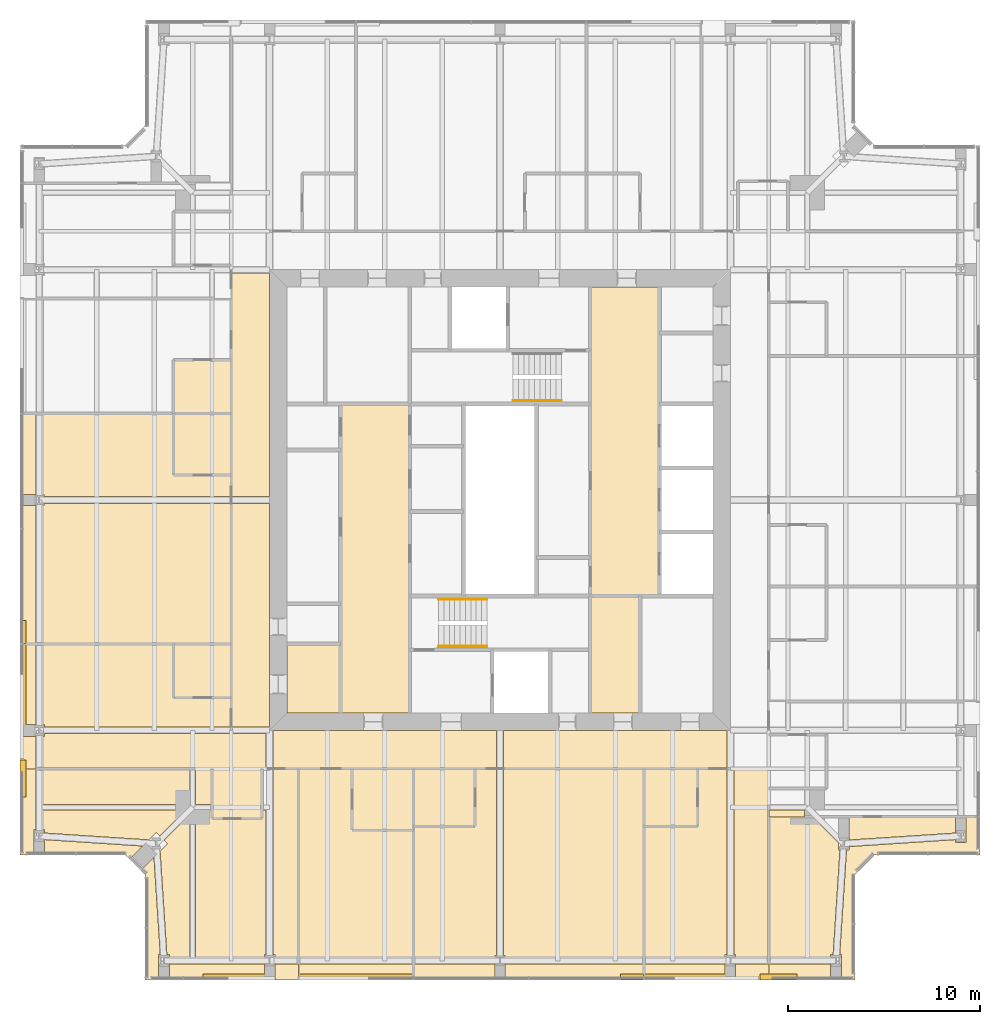
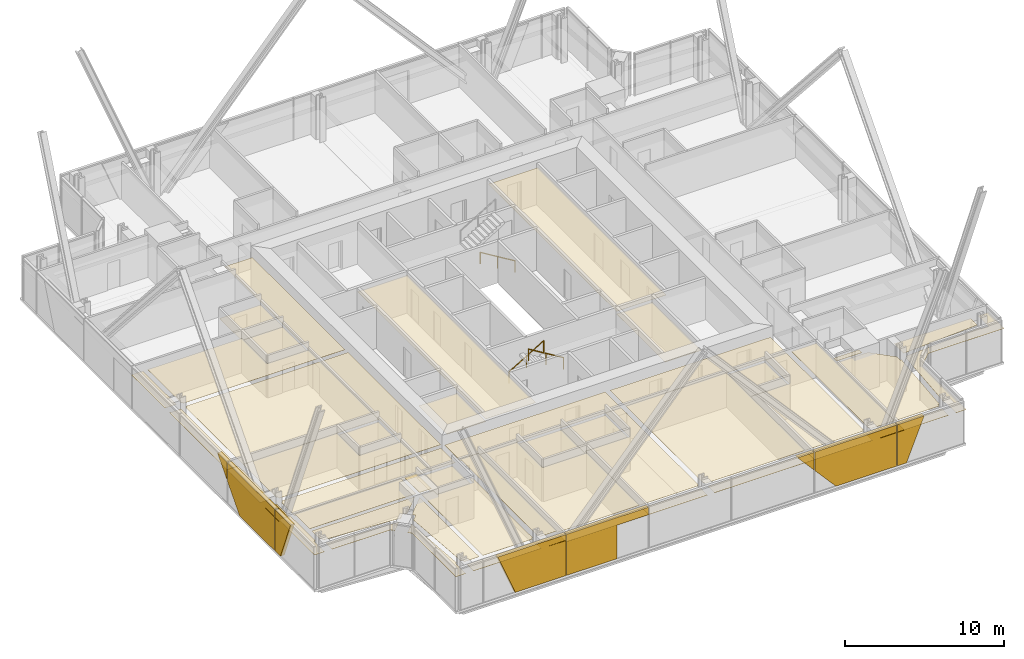
# One storey, part 16 of 18: 58 coverings, 3 railings.
"""IFC4 building model written with IfcOpenShell, lengths in metres."""

from ifc_helpers import new_model, si_unit, direction, frame, origin, origin_2d, place, context, subcontext, project, spatial, polyline, circle, outline, extrude, material, layer, layer_set, type_object, element, save


model = new_model("IFC4")

# Units and contexts
model_context = context("Model", 3, precision=1e-05, world=origin(), true_north=direction((0.0, 1.0)))
body_context = subcontext(model_context, "Body", "Model", "MODEL_VIEW")
ifc_project = project(units=[si_unit("LENGTHUNIT", "METRE"), si_unit("AREAUNIT", "SQUARE_METRE"), si_unit("VOLUMEUNIT", "CUBIC_METRE"), si_unit("PLANEANGLEUNIT", "RADIAN"), si_unit("MASSUNIT", "GRAM", prefix="KILO")], contexts=[model_context])

# Site, building, storey
site_placement = place(None, origin())
site = spatial("IfcSite", under=ifc_project, at=site_placement, CompositionType="ELEMENT")
building_placement = place(site_placement, origin())
building = spatial("IfcBuilding", under=site, at=building_placement, Name="Fenwick Lantern Interchange", CompositionType="ELEMENT")
storey_placement = place(building_placement, frame((0.0, 0.0, 269.60009765625)))
storey = spatial("IfcBuildingStorey", under=building, at=storey_placement, Name="L64", CompositionType="ELEMENT", Elevation=269.60009765625)

# Coverings
ifc_material_1 = material(Name="Granite cladding, warm grey flamed finish, on aluminium carrier frame", Category="masonry")
ifc_layer_1 = layer(ifc_material_1, 0.300048828125)
ifc_layer_set_1 = layer_set([ifc_layer_1], Name="BRACE CASING PANEL 300")
covering_type_1 = type_object("IfcCoveringType", Name="BRACE CASING PANEL 300", PredefinedType="CLADDING", material=ifc_layer_set_1)
covering_1_placement = place(storey_placement, frame((6.60009765625, 0.10009765625, 0.0), z_axis=(0.0, 0.0, 1.0), x_axis=(1.0, 0.0, 0.0)))
element("IfcCovering", 1, at=covering_1_placement, inside=storey, type_object=covering_type_1, Name="Brace casing 01 bay 01a", PredefinedType="CLADDING", context=body_context, shape_type="SweptSolid", body=[
    extrude(outline(polyline([(4.21337890625, 0.0), (7.8701171875, 0.0), (7.8701171875, 3.14990234375), (2.939453125, 3.14990234375), (4.21337890625, 0.0)])), frame((0.0, 0.2099609375, 0.0), z_axis=(0.0, -1.0, 0.0), x_axis=(1.0, 0.0, 0.0)), (0.0, 0.0, 1.0), 0.300048828125),
])
covering_2_placement = place(storey_placement, frame((6.60009765625, 0.10009765625, 0.0), z_axis=(0.0, 0.0, 1.0), x_axis=(1.0, 0.0, 0.0)))
element("IfcCovering", 2, at=covering_2_placement, inside=storey, type_object=covering_type_1, Name="Brace casing 01 bay 02a", PredefinedType="CLADDING", context=body_context, shape_type="SweptSolid", body=[
    extrude(outline(polyline([(7.929931640625, 0.0), (11.60009765625, 0.0), (11.60009765625, 2.56689453125), (13.8701171875, 2.56689453125), (13.8701171875, 3.14990234375), (7.929931640625, 3.14990234375), (7.929931640625, 0.0)])), frame((0.0, 0.2099609375, 0.0), z_axis=(0.0, -1.0, 0.0), x_axis=(1.0, 0.0, 0.0)), (0.0, 0.0, 1.0), 0.300048828125),
])
covering_3_placement = place(storey_placement, frame((6.60009765625, 0.10009765625, 1.807373046875), z_axis=(0.0, 0.0, 1.0), x_axis=(1.0, 0.0, 0.0)))
element("IfcCovering", 3, at=covering_3_placement, inside=storey, type_object=covering_type_1, Name="Brace casing 01 bay 04a", PredefinedType="CLADDING", context=body_context, shape_type="SweptSolid", body=[
    extrude(outline(polyline([(25.8701171875, 0.0), (25.8701171875, 1.342529296875), (24.685302734375, 1.342529296875), (25.8701171875, 0.0)])), frame((0.0, 0.2099609375, 0.0), z_axis=(0.0, -1.0, 0.0), x_axis=(1.0, 0.0, 0.0)), (0.0, 0.0, 1.0), 0.300048828125),
])
covering_4_placement = place(storey_placement, frame((6.60009765625, 0.10009765625, 0.0), z_axis=(0.0, 0.0, 1.0), x_axis=(1.0, 0.0, 0.0)))
element("IfcCovering", 4, at=covering_4_placement, inside=storey, type_object=covering_type_1, Name="Brace casing 01 bay 05a", PredefinedType="CLADDING", context=body_context, shape_type="SweptSolid", body=[
    extrude(outline(polyline([(27.46484375, 0.0), (31.8701171875, 0.0), (31.8701171875, 3.14990234375), (25.929931640625, 3.14990234375), (25.929931640625, 1.7392578125), (27.46484375, 0.0)])), frame((0.0, 0.2099609375, 0.0), z_axis=(0.0, -1.0, 0.0), x_axis=(1.0, 0.0, 0.0)), (0.0, 0.0, 1.0), 0.300048828125),
])
covering_5_placement = place(storey_placement, frame((6.60009765625, 0.10009765625, 0.0), z_axis=(0.0, 0.0, 1.0), x_axis=(1.0, 0.0, 0.0)))
element("IfcCovering", 5, at=covering_5_placement, inside=storey, type_object=covering_type_1, Name="Brace casing 01 bay 06a", PredefinedType="CLADDING", context=body_context, shape_type="SweptSolid", body=[
    extrude(outline(polyline([(31.929931640625, 0.0), (32.586669921875, 0.0), (33.860595703125, 3.14990234375), (31.929931640625, 3.14990234375), (31.929931640625, 0.0)])), frame((0.0, 0.2099609375, 0.0), z_axis=(0.0, -1.0, 0.0), x_axis=(1.0, 0.0, 0.0)), (0.0, 0.0, 1.0), 0.300048828125),
])
covering_6_placement = place(storey_placement, frame((0.10009765625, 43.39990234375, 1.807373046875), z_axis=(0.0, 0.0, 1.0), x_axis=(0.0, -1.0, 0.0)))
element("IfcCovering", 6, at=covering_6_placement, inside=storey, type_object=covering_type_1, Name="Brace casing 13 bay 04a", PredefinedType="CLADDING", context=body_context, shape_type="SweptSolid", body=[
    extrude(outline(polyline([(25.8701171875, 0.0), (25.8701171875, 1.342529296875), (24.685302734375, 1.342529296875), (25.8701171875, 0.0)])), frame((0.0, 0.2099609375, 0.0), z_axis=(0.0, -1.0, 0.0), x_axis=(1.0, 0.0, 0.0)), (0.0, 0.0, 1.0), 0.300048828125),
])
covering_7_placement = place(storey_placement, frame((0.10009765625, 43.39990234375, 0.0), z_axis=(0.0, 0.0, 1.0), x_axis=(0.0, -1.0, 0.0)))
element("IfcCovering", 7, at=covering_7_placement, inside=storey, type_object=covering_type_1, Name="Brace casing 13 bay 05a", PredefinedType="CLADDING", context=body_context, shape_type="SweptSolid", body=[
    extrude(outline(polyline([(27.46484375, 0.0), (31.8701171875, 0.0), (31.8701171875, 3.14990234375), (25.929931640625, 3.14990234375), (25.929931640625, 1.7392578125), (27.46484375, 0.0)])), frame((0.0, 0.2099609375, 0.0), z_axis=(0.0, -1.0, 0.0), x_axis=(1.0, 0.0, 0.0)), (0.0, 0.0, 1.0), 0.300048828125),
])
covering_8_placement = place(storey_placement, frame((0.10009765625, 43.39990234375, 0.0), z_axis=(0.0, 0.0, 1.0), x_axis=(0.0, -1.0, 0.0)))
element("IfcCovering", 8, at=covering_8_placement, inside=storey, type_object=covering_type_1, Name="Brace casing 13 bay 06a", PredefinedType="CLADDING", context=body_context, shape_type="SweptSolid", body=[
    extrude(outline(polyline([(31.929931640625, 0.0), (32.586669921875, 0.0), (33.860595703125, 3.14990234375), (31.929931640625, 3.14990234375), (31.929931640625, 0.0)])), frame((0.0, 0.2099609375, 0.0), z_axis=(0.0, -1.0, 0.0), x_axis=(1.0, 0.0, 0.0)), (0.0, 0.0, 1.0), 0.300048828125),
])

# Railings
ifc_material_2 = material(Name="Stainless steel handrail", Category="steel")
railing_type = type_object("IfcRailingType", Name="HANDRAIL 900", PredefinedType="HANDRAIL", material=ifc_material_2)
railing_placement = place(storey_placement, frame((21.800048828125, 19.825927734375, 0.169921875)))
element("IfcRailing", 9, at=railing_placement, inside=storey, type_object=railing_type, Name="L64/STAIR/ST1/HR1", PredefinedType="HANDRAIL", context=body_context, shape_type="SweptSolid", body=[
    extrude(circle(Radius=0.02392578125, at=origin_2d()), frame((0.0, 0.0, 0.8759765625), z_axis=(0.85478489116, 0.0, 0.518982456201), x_axis=(0.0, 1.0, 0.0)), (0.0, 0.0, 1.0), 2.9482421875),
    extrude(circle(Radius=0.02099609375, at=origin_2d()), origin(), (0.0, 0.0, 1.0), 0.851806640625),
    extrude(circle(Radius=0.02099609375, at=origin_2d()), frame((1.260009765625, 0.0, 0.76513671875)), (0.0, 0.0, 1.0), 0.851806640625),
    extrude(circle(Radius=0.02099609375, at=origin_2d()), frame((2.52001953125, 0.0, 1.530029296875)), (0.0, 0.0, 1.0), 0.851806640625),
])
for number, where, name in (
    (10, (24.320068359375, 17.3740234375, 1.869873046875), "L64/STAIR/ST1/HR2"),
    (11, (28.199951171875, 30.174072265625, 0.169921875), "L64/STAIR/ST2/HR1"),
):
    element("IfcRailing", number, at=place(storey_placement, frame(where)), inside=storey, type_object=railing_type, Name=name, PredefinedType="HANDRAIL", context=body_context, shape_type="SweptSolid", body=[
        extrude(circle(Radius=0.02392578125, at=origin_2d()), frame((0.0, 0.0, 0.8759765625), z_axis=(-0.85478489116, 0.0, 0.518982456201), x_axis=(0.0, -1.0, 0.0)), (0.0, 0.0, 1.0), 2.9482421875),
        extrude(circle(Radius=0.02099609375, at=origin_2d()), origin(), (0.0, 0.0, 1.0), 0.851806640625),
        extrude(circle(Radius=0.02099609375, at=origin_2d()), frame((-1.260009765625, 0.0, 0.76513671875)), (0.0, 0.0, 1.0), 0.851806640625),
        extrude(circle(Radius=0.02099609375, at=origin_2d()), frame((-2.52001953125, 0.0, 1.530029296875)), (0.0, 0.0, 1.0), 0.851806640625),
    ])

# Coverings
ifc_material_3 = material(Name="Moisture resistant gypsum board on suspended frame, painted")
ifc_layer_2 = layer(ifc_material_3, 0.014892578125)
ifc_layer_set_2 = layer_set([ifc_layer_2], Name="MOISTURE RESISTANT CEILING 15")
covering_type_2 = type_object("IfcCoveringType", Name="MOISTURE RESISTANT CEILING 15", PredefinedType="CEILING", material=ifc_layer_set_2)
covering_9_placement = place(storey_placement, frame((0.0, 0.0, 2.599853515625)))
element("IfcCovering", 12, at=covering_9_placement, inside=storey, type_object=covering_type_2, Name="Men's WC ceiling", PredefinedType="CEILING", context=body_context, shape_type="SweptSolid", body=[
    extrude(outline(polyline([(29.699951171875, 13.89990234375), (32.300048828125, 13.89990234375), (32.300048828125, 20.0), (29.699951171875, 20.0), (29.699951171875, 13.89990234375)])), origin(), (0.0, 0.0, 1.0), 0.01513671875),
])
covering_10_placement = place(storey_placement, frame((0.0, 0.0, 2.599853515625)))
element("IfcCovering", 13, at=covering_10_placement, inside=storey, type_object=covering_type_2, Name="Accessible WC and shower ceiling", PredefinedType="CEILING", context=body_context, shape_type="SweptSolid", body=[
    extrude(outline(polyline([(13.89990234375, 13.89990234375), (16.699951171875, 13.89990234375), (16.699951171875, 17.5), (13.89990234375, 17.5), (13.89990234375, 13.89990234375)])), origin(), (0.0, 0.0, 1.0), 0.01513671875),
])
covering_11_placement = place(storey_placement, frame((0.0, 0.0, 2.39990234375)))
element("IfcCovering", 14, at=covering_11_placement, inside=storey, type_object=covering_type_2, Name="En-suite 6401 ceiling", PredefinedType="CEILING", context=body_context, shape_type="SweptSolid", body=[
    extrude(outline(polyline([(10.0, 8.39990234375), (12.60009765625, 8.39990234375), (12.60009765625, 11.0), (10.0, 11.0), (10.0, 8.39990234375)])), origin(), (0.0, 0.0, 1.0), 0.014892578125),
])
covering_12_placement = place(storey_placement, frame((0.0, 0.0, 2.39990234375)))
element("IfcCovering", 15, at=covering_12_placement, inside=storey, type_object=covering_type_2, Name="En-suite 6402 ceiling", PredefinedType="CEILING", context=body_context, shape_type="SweptSolid", body=[
    extrude(outline(polyline([(17.300048828125, 7.800048828125), (20.5, 7.800048828125), (20.5, 11.0), (17.300048828125, 11.0), (17.300048828125, 7.800048828125)])), origin(), (0.0, 0.0, 1.0), 0.014892578125),
])
covering_13_placement = place(storey_placement, frame((0.0, 0.0, 2.39990234375)))
element("IfcCovering", 16, at=covering_13_placement, inside=storey, type_object=covering_type_2, Name="En-suite 6403 ceiling", PredefinedType="CEILING", context=body_context, shape_type="SweptSolid", body=[
    extrude(outline(polyline([(20.5, 8.0), (23.699951171875, 8.0), (23.699951171875, 11.0), (20.5, 11.0), (20.5, 8.0)])), origin(), (0.0, 0.0, 1.0), 0.014892578125),
])
covering_14_placement = place(storey_placement, frame((0.0, 0.0, 2.39990234375)))
element("IfcCovering", 17, at=covering_14_placement, inside=storey, type_object=covering_type_2, Name="En-suite 6404 ceiling", PredefinedType="CEILING", context=body_context, shape_type="SweptSolid", body=[
    extrude(outline(polyline([(32.5, 8.0), (35.300048828125, 8.0), (35.300048828125, 11.0), (32.5, 11.0), (32.5, 8.0)])), origin(), (0.0, 0.0, 1.0), 0.014892578125),
])
covering_15_placement = place(storey_placement, frame((0.0, 0.0, 2.39990234375)))
element("IfcCovering", 18, at=covering_15_placement, inside=storey, type_object=covering_type_2, Name="En-suite 6414 ceiling", PredefinedType="CEILING", context=body_context, shape_type="SweptSolid", body=[
    extrude(outline(polyline([(8.0, 32.300048828125), (8.0, 29.5), (11.0, 29.5), (11.0, 32.300048828125), (8.0, 32.300048828125)])), origin(), (0.0, 0.0, 1.0), 0.014892578125),
])
covering_16_placement = place(storey_placement, frame((0.0, 0.0, 2.39990234375)))
element("IfcCovering", 19, at=covering_16_placement, inside=storey, type_object=covering_type_2, Name="En-suite 6415 ceiling", PredefinedType="CEILING", context=body_context, shape_type="SweptSolid", body=[
    extrude(outline(polyline([(8.0, 29.5), (8.0, 26.300048828125), (11.0, 26.300048828125), (11.0, 29.5), (8.0, 29.5)])), origin(), (0.0, 0.0, 1.0), 0.014892578125),
])
covering_17_placement = place(storey_placement, frame((0.0, 0.0, 2.39990234375)))
element("IfcCovering", 20, at=covering_17_placement, inside=storey, type_object=covering_type_2, Name="En-suite 6416 ceiling", PredefinedType="CEILING", context=body_context, shape_type="SweptSolid", body=[
    extrude(outline(polyline([(8.0, 17.5), (8.0, 14.699951171875), (11.0, 14.699951171875), (11.0, 17.5), (8.0, 17.5)])), origin(), (0.0, 0.0, 1.0), 0.014892578125),
])
ifc_material_4 = material(Name="Gypsum plasterboard on suspended frame, painted")
ifc_layer_3 = layer(ifc_material_4, 0.014892578125)
ifc_layer_set_3 = layer_set([ifc_layer_3], Name="PLASTERBOARD CEILING 15")
covering_type_3 = type_object("IfcCoveringType", Name="PLASTERBOARD CEILING 15", PredefinedType="CEILING", material=ifc_layer_set_3)
covering_18_placement = place(storey_placement, frame((0.0, 0.0, 2.7998046875)))
element("IfcCovering", 21, at=covering_18_placement, inside=storey, type_object=covering_type_3, Name="Lift lobby ceiling", PredefinedType="CEILING", context=body_context, shape_type="SweptSolid", body=[
    extrude(outline(polyline([(16.699951171875, 13.89990234375), (20.300048828125, 13.89990234375), (20.300048828125, 30.0), (16.699951171875, 30.0), (16.699951171875, 13.89990234375)])), origin(), (0.0, 0.0, 1.0), 0.01513671875),
])
covering_19_placement = place(storey_placement, frame((0.0, 0.0, 2.7998046875)))
element("IfcCovering", 22, at=covering_19_placement, inside=storey, type_object=covering_type_3, Name="Lift lobby ceiling", PredefinedType="CEILING", context=body_context, shape_type="SweptSolid", body=[
    extrude(outline(polyline([(33.300048828125, 36.10009765625), (29.699951171875, 36.10009765625), (29.699951171875, 20.0), (33.300048828125, 20.0), (33.300048828125, 36.10009765625)])), origin(), (0.0, 0.0, 1.0), 0.01513671875),
])
covering_20_placement = place(storey_placement, frame((0.0, 0.0, 2.57275390625)))
element("IfcCovering", 23, at=covering_20_placement, inside=storey, type_object=covering_type_3, Name="Corridor ceiling", PredefinedType="CEILING", context=body_context, shape_type="SweptSolid", body=[
    extrude(outline(polyline([(11.0, 36.833984375), (11.0, 25.175048828125), (13.0, 25.175048828125), (13.0, 36.833984375), (11.0, 36.833984375)])), origin(), (0.0, 0.0, 1.0), 0.014892578125),
])
covering_21_placement = place(storey_placement, frame((0.0, 0.0, 2.57275390625)))
element("IfcCovering", 24, at=covering_21_placement, inside=storey, type_object=covering_type_3, Name="Corridor ceiling", PredefinedType="CEILING", context=body_context, shape_type="SweptSolid", body=[
    extrude(outline(polyline([(11.0, 24.824951171875), (11.0, 13.166015625), (13.0, 13.166015625), (13.0, 24.824951171875), (11.0, 24.824951171875)])), origin(), (0.0, 0.0, 1.0), 0.014892578125),
])
covering_22_placement = place(storey_placement, frame((0.0, 0.0, 2.57275390625)))
element("IfcCovering", 25, at=covering_22_placement, inside=storey, type_object=covering_type_3, Name="Corridor ceiling", PredefinedType="CEILING", context=body_context, shape_type="SweptSolid", body=[
    extrude(outline(polyline([(13.183837890625, 11.0), (24.816162109375, 11.0), (24.816162109375, 13.0), (13.183837890625, 13.0), (13.183837890625, 11.0)])), origin(), (0.0, 0.0, 1.0), 0.014892578125),
])
covering_23_placement = place(storey_placement, frame((0.0, 0.0, 2.57275390625)))
element("IfcCovering", 26, at=covering_23_placement, inside=storey, type_object=covering_type_3, Name="Corridor ceiling", PredefinedType="CEILING", context=body_context, shape_type="SweptSolid", body=[
    extrude(outline(polyline([(25.183837890625, 11.0), (36.816162109375, 11.0), (36.816162109375, 13.0), (25.183837890625, 13.0), (25.183837890625, 11.0)])), origin(), (0.0, 0.0, 1.0), 0.014892578125),
])
covering_24_placement = place(storey_placement, frame((0.0, 0.0, 2.57275390625)))
element("IfcCovering", 27, at=covering_24_placement, inside=storey, type_object=covering_type_3, Name="Corridor ceiling", PredefinedType="CEILING", context=body_context, shape_type="SweptSolid", body=[
    extrude(outline(polyline([(11.0, 11.0), (12.816162109375, 11.0), (12.816162109375, 12.833984375), (11.0, 12.833984375), (11.0, 11.0)])), origin(), (0.0, 0.0, 1.0), 0.014892578125),
])
covering_25_placement = place(storey_placement, frame((0.0, 0.0, 2.699951171875)))
element("IfcCovering", 28, at=covering_25_placement, inside=storey, type_object=covering_type_3, Name="Guest suite 6401 ceiling", PredefinedType="CEILING", context=body_context, shape_type="SweptSolid", body=[
    extrude(outline(polyline([(10.0, 8.39990234375), (10.0, 8.865478515625), (9.134521484375, 8.865478515625), (9.134521484375, 1.17236328125), (12.72900390625, 1.17236328125), (12.72900390625, 1.3154296875), (12.816162109375, 1.3154296875), (12.816162109375, 8.865478515625), (12.60009765625, 8.865478515625), (12.60009765625, 8.39990234375), (10.0, 8.39990234375)])), origin(), (0.0, 0.0, 1.0), 0.014892578125),
])
covering_26_placement = place(storey_placement, frame((0.0, 0.0, 2.699951171875)))
element("IfcCovering", 29, at=covering_26_placement, inside=storey, type_object=covering_type_3, Name="Guest suite 6401 ceiling", PredefinedType="CEILING", context=body_context, shape_type="SweptSolid", body=[
    extrude(outline(polyline([(8.865478515625, 11.0), (1.17236328125, 11.0), (1.17236328125, 9.134521484375), (8.865478515625, 9.134521484375), (8.865478515625, 11.0)])), origin(), (0.0, 0.0, 1.0), 0.014892578125),
])
covering_27_placement = place(storey_placement, frame((0.0, 0.0, 2.699951171875)))
element("IfcCovering", 30, at=covering_27_placement, inside=storey, type_object=covering_type_3, Name="Guest suite 6401 ceiling", PredefinedType="CEILING", context=body_context, shape_type="SweptSolid", body=[
    extrude(outline(polyline([(14.5, 11.0), (13.183837890625, 11.0), (13.183837890625, 1.3154296875), (13.27099609375, 1.3154296875), (13.27099609375, 1.17236328125), (14.5, 1.17236328125), (14.5, 11.0)])), origin(), (0.0, 0.0, 1.0), 0.014892578125),
])
covering_28_placement = place(storey_placement, frame((0.0, 0.0, 2.699951171875)))
element("IfcCovering", 31, at=covering_28_placement, inside=storey, type_object=covering_type_3, Name="Guest suite 6401 ceiling", PredefinedType="CEILING", context=body_context, shape_type="SweptSolid", body=[
    extrude(outline(polyline([(7.10009765625, 7.6826171875), (7.28271484375, 7.499755859375), (8.648681640625, 8.865478515625), (1.17236328125, 8.865478515625), (1.17236328125, 7.83447265625), (1.27734375, 7.83447265625), (1.27734375, 7.654541015625), (6.715576171875, 7.298095703125), (7.10009765625, 7.6826171875)])), origin(), (0.0, 0.0, 1.0), 0.014892578125),
])
covering_29_placement = place(storey_placement, frame((0.0, 0.0, 2.699951171875)))
element("IfcCovering", 32, at=covering_29_placement, inside=storey, type_object=covering_type_3, Name="Guest suite 6401 ceiling", PredefinedType="CEILING", context=body_context, shape_type="SweptSolid", body=[
    extrude(outline(polyline([(7.77734375, 1.33447265625), (7.77734375, 1.17236328125), (8.865478515625, 1.17236328125), (8.865478515625, 8.648681640625), (7.499755859375, 7.28271484375), (7.6826171875, 7.10009765625), (7.298095703125, 6.715576171875), (7.65087890625, 1.33447265625), (7.77734375, 1.33447265625)])), origin(), (0.0, 0.0, 1.0), 0.014892578125),
])
covering_30_placement = place(storey_placement, frame((0.0, 0.0, 2.699951171875)))
element("IfcCovering", 33, at=covering_30_placement, inside=storey, type_object=covering_type_3, Name="Guest suite 6401 ceiling", PredefinedType="CEILING", context=body_context, shape_type="SweptSolid", body=[
    extrude(outline(polyline([(7.22265625, 1.33447265625), (7.30517578125, 1.33447265625), (6.9736328125, 6.39111328125), (6.291259765625, 5.708740234375), (6.5, 5.5), (6.5, 0.0), (7.22265625, 0.0), (7.22265625, 1.33447265625)])), origin(), (0.0, 0.0, 1.0), 0.014892578125),
])
covering_31_placement = place(storey_placement, frame((0.0, 0.0, 2.699951171875)))
element("IfcCovering", 34, at=covering_31_placement, inside=storey, type_object=covering_type_3, Name="Guest suite 6401 ceiling", PredefinedType="CEILING", context=body_context, shape_type="SweptSolid", body=[
    extrude(outline(polyline([(12.72900390625, 0.0), (12.72900390625, 0.82763671875), (7.77734375, 0.82763671875), (7.77734375, 0.0), (12.72900390625, 0.0)])), origin(), (0.0, 0.0, 1.0), 0.014892578125),
])
covering_32_placement = place(storey_placement, frame((0.0, 0.0, 2.699951171875)))
element("IfcCovering", 35, at=covering_32_placement, inside=storey, type_object=covering_type_3, Name="Guest suite 6401 ceiling", PredefinedType="CEILING", context=body_context, shape_type="SweptSolid", body=[
    extrude(outline(polyline([(0.72265625, 7.83447265625), (0.82763671875, 7.83447265625), (0.82763671875, 11.0), (0.0, 11.0), (0.0, 6.5), (0.72265625, 6.5), (0.72265625, 7.83447265625)])), origin(), (0.0, 0.0, 1.0), 0.014892578125),
])
covering_33_placement = place(storey_placement, frame((0.0, 0.0, 2.699951171875)))
element("IfcCovering", 36, at=covering_33_placement, inside=storey, type_object=covering_type_3, Name="Guest suite 6401 ceiling", PredefinedType="CEILING", context=body_context, shape_type="SweptSolid", body=[
    extrude(outline(polyline([(5.708740234375, 6.291259765625), (6.39111328125, 6.9736328125), (1.27734375, 7.30908203125), (1.27734375, 6.5), (5.5, 6.5), (5.708740234375, 6.291259765625)])), origin(), (0.0, 0.0, 1.0), 0.014892578125),
])
covering_34_placement = place(storey_placement, frame((0.0, 0.0, 2.699951171875)))
element("IfcCovering", 37, at=covering_34_placement, inside=storey, type_object=covering_type_3, Name="Guest suite 6401 ceiling", PredefinedType="CEILING", context=body_context, shape_type="SweptSolid", body=[
    extrude(outline(polyline([(10.0, 9.134521484375), (10.0, 11.0), (9.134521484375, 11.0), (9.134521484375, 9.134521484375), (10.0, 9.134521484375)])), origin(), (0.0, 0.0, 1.0), 0.014892578125),
])
covering_35_placement = place(storey_placement, frame((0.0, 0.0, 2.699951171875)))
element("IfcCovering", 38, at=covering_35_placement, inside=storey, type_object=covering_type_3, Name="Guest suite 6401 ceiling", PredefinedType="CEILING", context=body_context, shape_type="SweptSolid", body=[
    extrude(outline(polyline([(14.5, 0.0), (14.5, 0.82763671875), (13.27099609375, 0.82763671875), (13.27099609375, 0.0), (14.5, 0.0)])), origin(), (0.0, 0.0, 1.0), 0.014892578125),
])
covering_36_placement = place(storey_placement, frame((0.0, 0.0, 2.57275390625)))
element("IfcCovering", 39, at=covering_36_placement, inside=storey, type_object=covering_type_3, Name="Guest room 6402 ceiling", PredefinedType="CEILING", context=body_context, shape_type="SweptSolid", body=[
    extrude(outline(polyline([(14.5, 11.0), (14.5, 1.17236328125), (20.5, 1.17236328125), (20.5, 7.800048828125), (17.300048828125, 7.800048828125), (17.300048828125, 11.0), (14.5, 11.0)])), origin(), (0.0, 0.0, 1.0), 0.014892578125),
])
covering_37_placement = place(storey_placement, frame((0.0, 0.0, 2.57275390625)))
element("IfcCovering", 40, at=covering_37_placement, inside=storey, type_object=covering_type_3, Name="Guest room 6402 ceiling", PredefinedType="CEILING", context=body_context, shape_type="SweptSolid", body=[
    extrude(outline(polyline([(14.5, 0.0), (20.5, 0.0), (20.5, 0.82763671875), (14.5, 0.82763671875), (14.5, 0.0)])), origin(), (0.0, 0.0, 1.0), 0.014892578125),
])
covering_38_placement = place(storey_placement, frame((0.0, 0.0, 2.57275390625)))
element("IfcCovering", 41, at=covering_38_placement, inside=storey, type_object=covering_type_3, Name="Guest suite 6403 ceiling", PredefinedType="CEILING", context=body_context, shape_type="SweptSolid", body=[
    extrude(outline(polyline([(25.26220703125, 1.28759765625), (25.26220703125, 1.17236328125), (32.5, 1.17236328125), (32.5, 11.0), (25.183837890625, 11.0), (25.183837890625, 1.28759765625), (25.26220703125, 1.28759765625)])), origin(), (0.0, 0.0, 1.0), 0.014892578125),
])
covering_39_placement = place(storey_placement, frame((0.0, 0.0, 2.57275390625)))
element("IfcCovering", 42, at=covering_39_placement, inside=storey, type_object=covering_type_3, Name="Guest suite 6403 ceiling", PredefinedType="CEILING", context=body_context, shape_type="SweptSolid", body=[
    extrude(outline(polyline([(24.73779296875, 1.28759765625), (24.816162109375, 1.28759765625), (24.816162109375, 11.0), (23.699951171875, 11.0), (23.699951171875, 8.0), (20.5, 8.0), (20.5, 1.17236328125), (24.73779296875, 1.17236328125), (24.73779296875, 1.28759765625)])), origin(), (0.0, 0.0, 1.0), 0.014892578125),
])
covering_40_placement = place(storey_placement, frame((0.0, 0.0, 2.57275390625)))
element("IfcCovering", 43, at=covering_40_placement, inside=storey, type_object=covering_type_3, Name="Guest suite 6403 ceiling", PredefinedType="CEILING", context=body_context, shape_type="SweptSolid", body=[
    extrude(outline(polyline([(25.26220703125, 0.0), (32.5, 0.0), (32.5, 0.82763671875), (25.26220703125, 0.82763671875), (25.26220703125, 0.0)])), origin(), (0.0, 0.0, 1.0), 0.014892578125),
])
covering_41_placement = place(storey_placement, frame((0.0, 0.0, 2.57275390625)))
element("IfcCovering", 44, at=covering_41_placement, inside=storey, type_object=covering_type_3, Name="Guest suite 6403 ceiling", PredefinedType="CEILING", context=body_context, shape_type="SweptSolid", body=[
    extrude(outline(polyline([(24.73779296875, 0.0), (24.73779296875, 0.82763671875), (20.5, 0.82763671875), (20.5, 0.0), (24.73779296875, 0.0)])), origin(), (0.0, 0.0, 1.0), 0.014892578125),
])
covering_42_placement = place(storey_placement, frame((0.0, 0.0, 2.57275390625)))
element("IfcCovering", 45, at=covering_42_placement, inside=storey, type_object=covering_type_3, Name="Guest room 6404 ceiling", PredefinedType="CEILING", context=body_context, shape_type="SweptSolid", body=[
    extrude(outline(polyline([(36.72900390625, 1.3154296875), (36.816162109375, 1.3154296875), (36.816162109375, 11.0), (35.300048828125, 11.0), (35.300048828125, 8.0), (32.5, 8.0), (32.5, 1.17236328125), (36.72900390625, 1.17236328125), (36.72900390625, 1.3154296875)])), origin(), (0.0, 0.0, 1.0), 0.014892578125),
])
covering_43_placement = place(storey_placement, frame((0.0, 0.0, 2.57275390625)))
element("IfcCovering", 46, at=covering_43_placement, inside=storey, type_object=covering_type_3, Name="Guest room 6404 ceiling", PredefinedType="CEILING", context=body_context, shape_type="SweptSolid", body=[
    extrude(outline(polyline([(37.27099609375, 1.3154296875), (37.27099609375, 1.17236328125), (39.0, 1.17236328125), (39.0, 11.0), (37.183837890625, 11.0), (37.183837890625, 1.3154296875), (37.27099609375, 1.3154296875)])), origin(), (0.0, 0.0, 1.0), 0.014892578125),
])
covering_44_placement = place(storey_placement, frame((0.0, 0.0, 2.57275390625)))
element("IfcCovering", 47, at=covering_44_placement, inside=storey, type_object=covering_type_3, Name="Guest room 6404 ceiling", PredefinedType="CEILING", context=body_context, shape_type="SweptSolid", body=[
    extrude(outline(polyline([(36.72900390625, 0.0), (36.72900390625, 0.82763671875), (32.5, 0.82763671875), (32.5, 0.0), (36.72900390625, 0.0)])), origin(), (0.0, 0.0, 1.0), 0.014892578125),
])
covering_45_placement = place(storey_placement, frame((0.0, 0.0, 2.57275390625)))
element("IfcCovering", 48, at=covering_45_placement, inside=storey, type_object=covering_type_3, Name="Guest room 6404 ceiling", PredefinedType="CEILING", context=body_context, shape_type="SweptSolid", body=[
    extrude(outline(polyline([(37.27099609375, 0.0), (39.0, 0.0), (39.0, 0.82763671875), (37.27099609375, 0.82763671875), (37.27099609375, 0.0)])), origin(), (0.0, 0.0, 1.0), 0.014892578125),
])
covering_46_placement = place(storey_placement, frame((0.0, 0.0, 2.57275390625)))
element("IfcCovering", 49, at=covering_46_placement, inside=storey, type_object=covering_type_3, Name="Guest suite 6405 sitting room ceiling", PredefinedType="CEILING", context=body_context, shape_type="SweptSolid", body=[
    extrude(outline(polyline([(42.22265625, 1.33447265625), (42.34912109375, 1.33447265625), (42.705322265625, 6.765625), (42.62255859375, 6.765625), (42.62255859375, 7.160400390625), (41.283203125, 8.5), (39.0, 8.5), (39.0, 1.17236328125), (42.22265625, 1.17236328125), (42.22265625, 1.33447265625)])), origin(), (0.0, 0.0, 1.0), 0.014892578125),
])
covering_47_placement = place(storey_placement, frame((0.0, 0.0, 2.57275390625)))
element("IfcCovering", 50, at=covering_47_placement, inside=storey, type_object=covering_type_3, Name="Guest suite 6405 sitting room ceiling", PredefinedType="CEILING", context=body_context, shape_type="SweptSolid", body=[
    extrude(outline(polyline([(42.77734375, 1.33447265625), (42.77734375, 0.0), (43.5, 0.0), (43.5, 5.5), (44.5, 6.5), (50.0, 6.5), (50.0, 8.5), (49.27734375, 8.5), (49.27734375, 7.16552734375), (48.72265625, 7.16552734375), (48.72265625, 7.30908203125), (43.17724609375, 6.9453125), (43.17724609375, 6.765625), (43.05078125, 6.765625), (42.69482421875, 1.33447265625), (42.77734375, 1.33447265625)])), origin(), (0.0, 0.0, 1.0), 0.014892578125),
])
covering_48_placement = place(storey_placement, frame((0.0, 0.0, 2.57275390625)))
element("IfcCovering", 51, at=covering_48_placement, inside=storey, type_object=covering_type_3, Name="Guest suite 6405 sitting room ceiling", PredefinedType="CEILING", context=body_context, shape_type="SweptSolid", body=[
    extrude(outline(polyline([(43.17724609375, 8.5), (43.17724609375, 7.291015625), (48.72265625, 7.654541015625), (48.72265625, 8.5), (43.17724609375, 8.5)])), origin(), (0.0, 0.0, 1.0), 0.014892578125),
])
covering_49_placement = place(storey_placement, frame((0.0, 0.0, 2.57275390625)))
element("IfcCovering", 52, at=covering_49_placement, inside=storey, type_object=covering_type_3, Name="Guest suite 6405 sitting room ceiling", PredefinedType="CEILING", context=body_context, shape_type="SweptSolid", body=[
    extrude(outline(polyline([(42.22265625, 0.0), (42.22265625, 0.82763671875), (39.0, 0.82763671875), (39.0, 0.0), (42.22265625, 0.0)])), origin(), (0.0, 0.0, 1.0), 0.014892578125),
])
covering_50_placement = place(storey_placement, frame((0.0, 0.0, 2.699951171875)))
element("IfcCovering", 53, at=covering_50_placement, inside=storey, type_object=covering_type_3, Name="Guest suite 6405 bedroom ceiling", PredefinedType="CEILING", context=body_context, shape_type="SweptSolid", body=[
    extrude(outline(polyline([(39.0, 8.5), (40.865478515625, 8.5), (40.865478515625, 8.865478515625), (39.0, 8.865478515625), (39.0, 8.5)])), origin(), (0.0, 0.0, 1.0), 0.014892578125),
])
covering_51_placement = place(storey_placement, frame((0.0, 0.0, 2.57275390625)))
element("IfcCovering", 54, at=covering_51_placement, inside=storey, type_object=covering_type_3, Name="Guest suite 6415 ceiling", PredefinedType="CEILING", context=body_context, shape_type="SweptSolid", body=[
    extrude(outline(polyline([(1.26220703125, 24.71240234375), (1.17236328125, 24.71240234375), (1.17236328125, 17.5), (11.0, 17.5), (11.0, 24.824951171875), (1.26220703125, 24.824951171875), (1.26220703125, 24.71240234375)])), origin(), (0.0, 0.0, 1.0), 0.014892578125),
])
covering_52_placement = place(storey_placement, frame((0.0, 0.0, 2.57275390625)))
element("IfcCovering", 55, at=covering_52_placement, inside=storey, type_object=covering_type_3, Name="Guest suite 6415 ceiling", PredefinedType="CEILING", context=body_context, shape_type="SweptSolid", body=[
    extrude(outline(polyline([(1.26220703125, 25.28759765625), (1.26220703125, 25.175048828125), (11.0, 25.175048828125), (11.0, 26.300048828125), (8.0, 26.300048828125), (8.0, 29.5), (1.17236328125, 29.5), (1.17236328125, 25.28759765625), (1.26220703125, 25.28759765625)])), origin(), (0.0, 0.0, 1.0), 0.014892578125),
])
covering_53_placement = place(storey_placement, frame((0.0, 0.0, 2.57275390625)))
element("IfcCovering", 56, at=covering_53_placement, inside=storey, type_object=covering_type_3, Name="Guest suite 6415 ceiling", PredefinedType="CEILING", context=body_context, shape_type="SweptSolid", body=[
    extrude(outline(polyline([(0.0, 24.71240234375), (0.0, 17.5), (0.82763671875, 17.5), (0.82763671875, 24.71240234375), (0.0, 24.71240234375)])), origin(), (0.0, 0.0, 1.0), 0.014892578125),
])
covering_54_placement = place(storey_placement, frame((0.0, 0.0, 2.57275390625)))
element("IfcCovering", 57, at=covering_54_placement, inside=storey, type_object=covering_type_3, Name="Guest suite 6415 ceiling", PredefinedType="CEILING", context=body_context, shape_type="SweptSolid", body=[
    extrude(outline(polyline([(0.0, 25.28759765625), (0.82763671875, 25.28759765625), (0.82763671875, 29.5), (0.0, 29.5), (0.0, 25.28759765625)])), origin(), (0.0, 0.0, 1.0), 0.014892578125),
])
covering_55_placement = place(storey_placement, frame((0.0, 0.0, 2.57275390625)))
element("IfcCovering", 58, at=covering_55_placement, inside=storey, type_object=covering_type_3, Name="Guest room 6416 ceiling", PredefinedType="CEILING", context=body_context, shape_type="SweptSolid", body=[
    extrude(outline(polyline([(1.27099609375, 13.3154296875), (1.27099609375, 13.166015625), (11.0, 13.166015625), (11.0, 14.699951171875), (8.0, 14.699951171875), (8.0, 17.5), (1.17236328125, 17.5), (1.17236328125, 13.3154296875), (1.27099609375, 13.3154296875)])), origin(), (0.0, 0.0, 1.0), 0.014892578125),
])
covering_56_placement = place(storey_placement, frame((0.0, 0.0, 2.57275390625)))
element("IfcCovering", 59, at=covering_56_placement, inside=storey, type_object=covering_type_3, Name="Guest room 6416 ceiling", PredefinedType="CEILING", context=body_context, shape_type="SweptSolid", body=[
    extrude(outline(polyline([(1.27099609375, 12.6845703125), (1.17236328125, 12.6845703125), (1.17236328125, 11.0), (11.0, 11.0), (11.0, 12.833984375), (1.27099609375, 12.833984375), (1.27099609375, 12.6845703125)])), origin(), (0.0, 0.0, 1.0), 0.014892578125),
])
covering_57_placement = place(storey_placement, frame((0.0, 0.0, 2.57275390625)))
element("IfcCovering", 60, at=covering_57_placement, inside=storey, type_object=covering_type_3, Name="Guest room 6416 ceiling", PredefinedType="CEILING", context=body_context, shape_type="SweptSolid", body=[
    extrude(outline(polyline([(0.0, 13.3154296875), (0.82763671875, 13.3154296875), (0.82763671875, 17.5), (0.0, 17.5), (0.0, 13.3154296875)])), origin(), (0.0, 0.0, 1.0), 0.014892578125),
])
covering_58_placement = place(storey_placement, frame((0.0, 0.0, 2.57275390625)))
element("IfcCovering", 61, at=covering_58_placement, inside=storey, type_object=covering_type_3, Name="Guest room 6416 ceiling", PredefinedType="CEILING", context=body_context, shape_type="SweptSolid", body=[
    extrude(outline(polyline([(0.0, 12.6845703125), (0.0, 11.0), (0.82763671875, 11.0), (0.82763671875, 12.6845703125), (0.0, 12.6845703125)])), origin(), (0.0, 0.0, 1.0), 0.014892578125),
])

save(model, "model.ifc")
